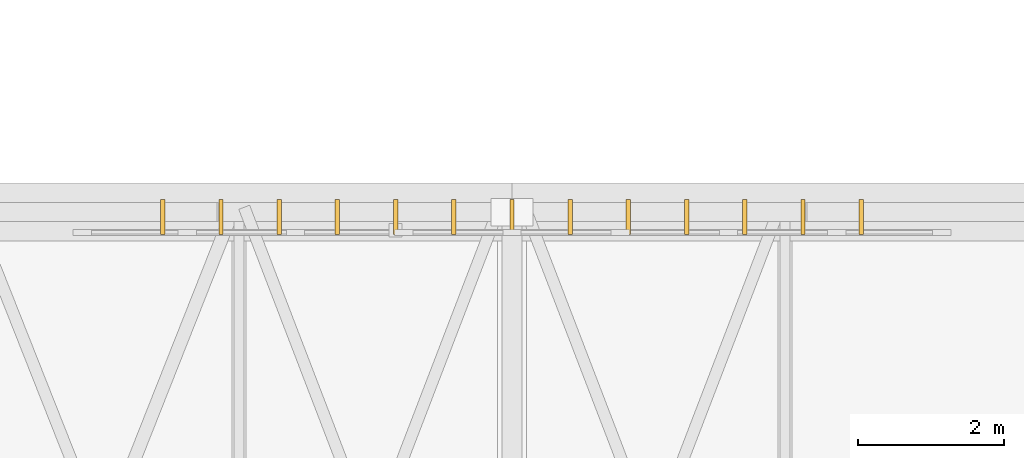
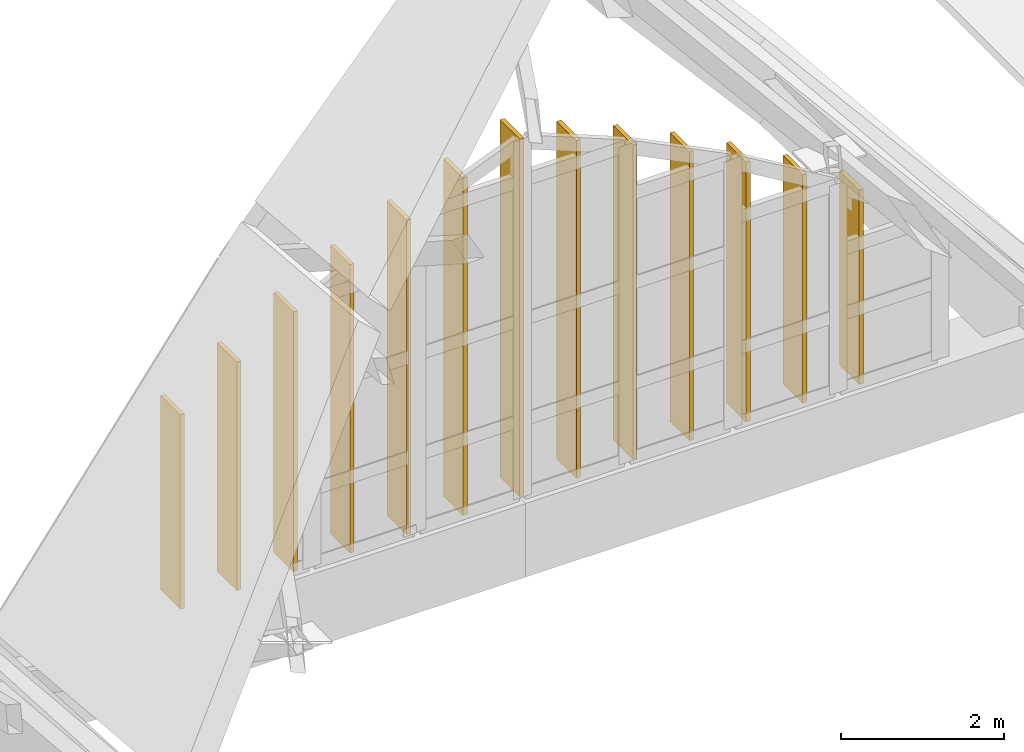
# One storey, part 93 of 93: 13 shading devices.
"""IFC4 building model written with IfcOpenShell, lengths in metres."""

from ifc_helpers import new_model, si_unit, direction, frame, origin, origin_2d, place, context, subcontext, project, spatial, rectangle, extrude, material, material_profile, profile_set, type_object, element, save


model = new_model("IFC4")

# Units and contexts
model_context = context("Model", 3, precision=1e-05, world=origin(), true_north=direction((0.0, 1.0)))
body_context = subcontext(model_context, "Body", "Model", "MODEL_VIEW")
ifc_project = project(units=[si_unit("LENGTHUNIT", "METRE"), si_unit("AREAUNIT", "SQUARE_METRE"), si_unit("VOLUMEUNIT", "CUBIC_METRE"), si_unit("PLANEANGLEUNIT", "RADIAN"), si_unit("MASSUNIT", "GRAM", prefix="KILO")], contexts=[model_context])

# Site, building, storey
site_placement = place(None, origin())
site = spatial("IfcSite", under=ifc_project, at=site_placement, CompositionType="ELEMENT")
building_placement = place(site_placement, origin())
building = spatial("IfcBuilding", under=site, at=building_placement, Name="Vourika Railside Aquatics Centre", CompositionType="ELEMENT")
storey_placement = place(building_placement, frame((0.0, 0.0, 21.89990234375)))
storey = spatial("IfcBuildingStorey", under=building, at=storey_placement, Name="Roof", CompositionType="ELEMENT", Elevation=21.89990234375)

# Shading devices
ifc_material = material(Name="Bronze-anodized extruded aluminium", Category="aluminium")
ifc_material_profile_1 = material_profile(ifc_material, rectangle(XDim=0.06005859375, YDim=0.47998046875, at=origin_2d()), Name="ALU-FIN 60x480")
ifc_profile_set_1 = profile_set([ifc_material_profile_1], Name="Bronze-anodized extruded aluminium")
shading_device_type_1 = type_object("IfcShadingDeviceType", Name="SHD-FIN-F48A", PredefinedType="USERDEFINED", material=ifc_profile_set_1)
shading_device_1_placement = place(storey_placement, frame((128.699951171875, 65.93505859375, -11.099853515625), z_axis=(0.0, 0.0, 1.0), x_axis=(1.0, 0.0, 0.0)))
element("IfcShadingDevice", 1, at=shading_device_1_placement, inside=storey, type_object=shading_device_type_1, Name="Vertical Solar Fin VSF-0157", ObjectType="FIN", PredefinedType="USERDEFINED", context=body_context, shape_type="SweptSolid", body=[
    extrude(rectangle(XDim=0.06005859375, YDim=0.47998046875, at=origin_2d()), origin(), (0.0, 0.0, 1.0), 2.906005859375),
])
shading_device_2_placement = place(storey_placement, frame((129.5, 65.93505859375, -11.099853515625), z_axis=(0.0, 0.0, 1.0), x_axis=(1.0, 0.0, 0.0)))
element("IfcShadingDevice", 2, at=shading_device_2_placement, inside=storey, type_object=shading_device_type_1, Name="Vertical Solar Fin VSF-0158", ObjectType="FIN", PredefinedType="USERDEFINED", context=body_context, shape_type="SweptSolid", body=[
    extrude(rectangle(XDim=0.06005859375, YDim=0.47998046875, at=origin_2d()), origin(), (0.0, 0.0, 1.0), 3.416015625),
])
for number, where, z_axis, x_axis, name in (
    (3, (130.300048828125, 65.93505859375, -11.099853515625), (0.0, 0.0, 1.0), (1.0, 0.0, 0.0), "Vertical Solar Fin VSF-0159"),
    (4, (136.699951171875, 65.93505859375, -11.099853515625), (0.0, 0.0, 1.0), (1.0, 0.0, 0.0), "Vertical Solar Fin VSF-0167"),
):
    element("IfcShadingDevice", number, at=place(storey_placement, frame(where, z_axis=z_axis, x_axis=x_axis)), inside=storey, type_object=shading_device_type_1, Name=name, ObjectType="FIN", PredefinedType="USERDEFINED", context=body_context, shape_type="SweptSolid", body=[
        extrude(rectangle(XDim=0.06005859375, YDim=0.47998046875, at=origin_2d()), origin(), (0.0, 0.0, 1.0), 3.885009765625),
    ])
shading_device_3_placement = place(storey_placement, frame((137.5, 65.93505859375, -11.099853515625), z_axis=(0.0, 0.0, 1.0), x_axis=(1.0, 0.0, 0.0)))
element("IfcShadingDevice", 5, at=shading_device_3_placement, inside=storey, type_object=shading_device_type_1, Name="Vertical Solar Fin VSF-0168", ObjectType="FIN", PredefinedType="USERDEFINED", context=body_context, shape_type="SweptSolid", body=[
    extrude(rectangle(XDim=0.06005859375, YDim=0.47998046875, at=origin_2d()), origin(), (0.0, 0.0, 1.0), 3.416015625),
])
shading_device_4_placement = place(storey_placement, frame((138.300048828125, 65.93505859375, -11.099853515625), z_axis=(0.0, 0.0, 1.0), x_axis=(1.0, 0.0, 0.0)))
element("IfcShadingDevice", 6, at=shading_device_4_placement, inside=storey, type_object=shading_device_type_1, Name="Vertical Solar Fin VSF-0169", ObjectType="FIN", PredefinedType="USERDEFINED", context=body_context, shape_type="SweptSolid", body=[
    extrude(rectangle(XDim=0.06005859375, YDim=0.47998046875, at=origin_2d()), origin(), (0.0, 0.0, 1.0), 2.906005859375),
])
ifc_material_profile_2 = material_profile(ifc_material, rectangle(XDim=0.06005859375, YDim=0.47998046875, at=origin_2d()), Name="ALU-FIN 60x480")
ifc_profile_set_2 = profile_set([ifc_material_profile_2], Name="Bronze-anodized extruded aluminium")
shading_device_type_2 = type_object("IfcShadingDeviceType", Name="SHD-FIN-F48B", PredefinedType="USERDEFINED", material=ifc_profile_set_2)
shading_device_5_placement = place(storey_placement, frame((131.10009765625, 65.93505859375, -11.099853515625), z_axis=(0.0, 0.0, 1.0), x_axis=(1.0, 0.0, 0.0)))
element("IfcShadingDevice", 7, at=shading_device_5_placement, inside=storey, type_object=shading_device_type_2, Name="Vertical Solar Fin VSF-0160", ObjectType="FIN", PredefinedType="USERDEFINED", context=body_context, shape_type="SweptSolid", body=[
    extrude(rectangle(XDim=0.06005859375, YDim=0.47998046875, at=origin_2d()), origin(), (0.0, 0.0, 1.0), 4.31298828125),
])
shading_device_6_placement = place(storey_placement, frame((131.89990234375, 65.93505859375, -11.099853515625), z_axis=(0.0, 0.0, 1.0), x_axis=(1.0, 0.0, 0.0)))
element("IfcShadingDevice", 8, at=shading_device_6_placement, inside=storey, type_object=shading_device_type_2, Name="Vertical Solar Fin VSF-0161", ObjectType="FIN", PredefinedType="USERDEFINED", context=body_context, shape_type="SweptSolid", body=[
    extrude(rectangle(XDim=0.06005859375, YDim=0.47998046875, at=origin_2d()), origin(), (0.0, 0.0, 1.0), 4.699951171875),
])
for number, where, z_axis, x_axis, name in (
    (9, (132.699951171875, 65.93505859375, -11.099853515625), (0.0, 0.0, 1.0), (1.0, 0.0, 0.0), "Vertical Solar Fin VSF-0162"),
    (10, (134.300048828125, 65.93505859375, -11.099853515625), (0.0, 0.0, 1.0), (1.0, 0.0, 0.0), "Vertical Solar Fin VSF-0164"),
):
    element("IfcShadingDevice", number, at=place(storey_placement, frame(where, z_axis=z_axis, x_axis=x_axis)), inside=storey, type_object=shading_device_type_2, Name=name, ObjectType="FIN", PredefinedType="USERDEFINED", context=body_context, shape_type="SweptSolid", body=[
        extrude(rectangle(XDim=0.06005859375, YDim=0.47998046875, at=origin_2d()), origin(), (0.0, 0.0, 1.0), 5.044921875),
    ])
shading_device_7_placement = place(storey_placement, frame((135.10009765625, 65.93505859375, -11.099853515625), z_axis=(0.0, 0.0, 1.0), x_axis=(1.0, 0.0, 0.0)))
element("IfcShadingDevice", 11, at=shading_device_7_placement, inside=storey, type_object=shading_device_type_2, Name="Vertical Solar Fin VSF-0165", ObjectType="FIN", PredefinedType="USERDEFINED", context=body_context, shape_type="SweptSolid", body=[
    extrude(rectangle(XDim=0.06005859375, YDim=0.47998046875, at=origin_2d()), origin(), (0.0, 0.0, 1.0), 4.699951171875),
])
shading_device_8_placement = place(storey_placement, frame((135.89990234375, 65.93505859375, -11.099853515625), z_axis=(0.0, 0.0, 1.0), x_axis=(1.0, 0.0, 0.0)))
element("IfcShadingDevice", 12, at=shading_device_8_placement, inside=storey, type_object=shading_device_type_2, Name="Vertical Solar Fin VSF-0166", ObjectType="FIN", PredefinedType="USERDEFINED", context=body_context, shape_type="SweptSolid", body=[
    extrude(rectangle(XDim=0.06005859375, YDim=0.47998046875, at=origin_2d()), origin(), (0.0, 0.0, 1.0), 4.31298828125),
])
ifc_material_profile_3 = material_profile(ifc_material, rectangle(XDim=0.06005859375, YDim=0.47998046875, at=origin_2d()), Name="ALU-FIN 60x480")
ifc_profile_set_3 = profile_set([ifc_material_profile_3], Name="Bronze-anodized extruded aluminium")
shading_device_type_3 = type_object("IfcShadingDeviceType", Name="SHD-FIN-F48C", PredefinedType="USERDEFINED", material=ifc_profile_set_3)
shading_device_9_placement = place(storey_placement, frame((133.5, 65.93505859375, -11.099853515625), z_axis=(0.0, 0.0, 1.0), x_axis=(1.0, 0.0, 0.0)))
element("IfcShadingDevice", 13, at=shading_device_9_placement, inside=storey, type_object=shading_device_type_3, Name="Vertical Solar Fin VSF-0163", ObjectType="FIN", PredefinedType="USERDEFINED", context=body_context, shape_type="SweptSolid", body=[
    extrude(rectangle(XDim=0.06005859375, YDim=0.47998046875, at=origin_2d()), origin(), (0.0, 0.0, 1.0), 5.349853515625),
])

save(model, "model.ifc")
